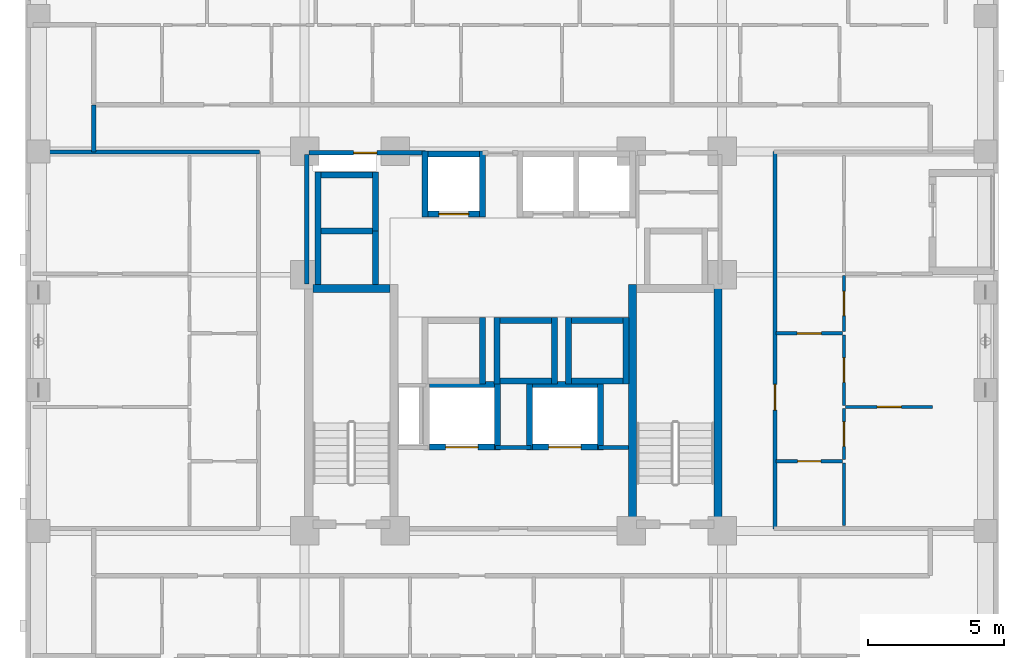
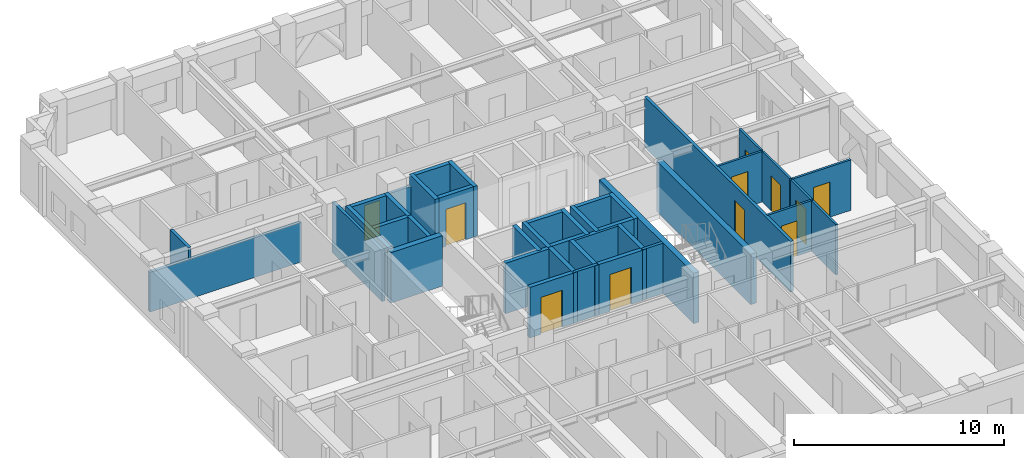
# One storey, part 5 of 12: 42 walls, 11 doors, 11 openings.
"""IFC4 building model written with IfcOpenShell, lengths in metres."""

from ifc_helpers import new_model, si_unit, derived_unit, direction, frame, frame_2d, origin, place, context, subcontext, project, spatial, rectangle, extrude, material, layer, layer_set, type_object, element, fill, save


model = new_model("IFC4")

# Units and contexts
model_context = context("Model", 3, precision=1e-05, world=origin(), true_north=direction((0.0, 1.0)))
body_context = subcontext(model_context, "Body", "Model", "MODEL_VIEW")
ifc_project = project(units=[si_unit("LENGTHUNIT", "METRE"), si_unit("AREAUNIT", "SQUARE_METRE"), si_unit("VOLUMEUNIT", "CUBIC_METRE"), si_unit("PLANEANGLEUNIT", "RADIAN"), si_unit("MASSUNIT", "GRAM", prefix="KILO"), derived_unit("THERMALTRANSMITTANCEUNIT", [(si_unit("MASSUNIT", "GRAM", prefix="KILO"), 1), (si_unit("TIMEUNIT", "SECOND"), -3), (si_unit("THERMODYNAMICTEMPERATUREUNIT", "KELVIN"), -1)])], contexts=[model_context])

# Site, building, storey
site_placement = place(None, origin())
site = spatial("IfcSite", under=ifc_project, at=site_placement, CompositionType="ELEMENT")
building_placement = place(site_placement, origin())
building = spatial("IfcBuilding", under=site, at=building_placement, Name="Korrvale Station Residences", CompositionType="ELEMENT")
storey_placement = place(building_placement, frame((0.0, 0.0, 81.5)))
storey = spatial("IfcBuildingStorey", under=building, at=storey_placement, Name="L22", CompositionType="ELEMENT", Elevation=81.5)

# Walls
ifc_material_1 = material(Name="Concrete C60/75", Category="concrete")
ifc_layer_1 = layer(ifc_material_1, 0.300048828125, Name="Concrete C60/75")
ifc_layer_set_1 = layer_set([ifc_layer_1], Name="Concrete C60/75")
wall_type_1 = type_object("IfcWallType", Name="WAL-CORE-300-C60", PredefinedType="SHEAR", material=ifc_layer_set_1)
wall_1_placement = place(storey_placement, frame((18.10009765625, 23.949951171875, 0.0), z_axis=(0.0, 0.0, 1.0), x_axis=(1.0, 0.0, 0.0)))
element("IfcWall", 1, at=wall_1_placement, inside=storey, type_object=wall_type_1, Name="L22 ST-1 Core Shear Wall North", PredefinedType="SHEAR", context=body_context, shape_type="SweptSolid", body=[
    extrude(rectangle(XDim=2.849853515625, YDim=0.300048828125, at=frame_2d((1.4248046875, 0.0))), origin(), (0.0, 0.0, 1.0), 2.93994140625),
])
for number, where, z_axis, x_axis, name in (
    (2, (29.89990234375, 15.10009765625, 0.0), (0.0, 0.0, 1.0), (0.0, 1.0, 0.0), "L22 ST-2 Core Shear Wall West"),
    (3, (33.050048828125, 15.10009765625, 0.0), (0.0, 0.0, 1.0), (0.0, 1.0, 0.0), "L22 ST-2 Core Shear Wall East"),
):
    element("IfcWall", number, at=place(storey_placement, frame(where, z_axis=z_axis, x_axis=x_axis)), inside=storey, type_object=wall_type_1, Name=name, PredefinedType="SHEAR", context=body_context, shape_type="SweptSolid", body=[
        extrude(rectangle(XDim=9.0, YDim=0.300048828125, at=frame_2d((4.5, 0.0))), origin(), (0.0, 0.0, 1.0), 2.93994140625),
    ])

# Wall, opening, door
ifc_material_2 = material(Name="Acoustic steel-stud gypsum board partition", Category="steel")
ifc_layer_2 = layer(ifc_material_2, 0.1201171875, Name="Acoustic steel-stud gypsum board partition")
ifc_layer_set_2 = layer_set([ifc_layer_2], Name="Acoustic steel-stud gypsum board partition")
wall_type_2 = type_object("IfcWallType", Name="WAL-PART-125", PredefinedType="PARTITIONING", material=ifc_layer_set_2)
wall_2_placement = place(storey_placement, frame((35.18994140625, 22.2900390625, 0.0), z_axis=(0.0, 0.0, 1.0), x_axis=(1.0, 0.0, 0.0)))
wall_2 = element("IfcWall", 4, at=wall_2_placement, inside=storey, type_object=wall_type_2, Name="L22 Suite Partition U06-H02", PredefinedType="PARTITIONING", context=body_context, shape_type="SweptSolid", body=[
    extrude(rectangle(XDim=2.449951171875, YDim=0.1201171875, at=frame_2d((1.22509765625, 0.0))), origin(), (0.0, 0.0, 1.0), 2.93994140625),
])
opening_1_placement = place(wall_2_placement, frame((0.77490234375, 0.0, 0.0)))
opening_1 = element("IfcOpeningElement", 5, at=opening_1_placement, cuts=wall_2, Name="Opening DI-900", PredefinedType="OPENING", context=body_context, shape_type="SweptSolid", body=[
    extrude(rectangle(XDim=0.89990234375, YDim=2.050048828125, at=frame_2d((0.449951171875, 1.02490234375))), frame((0.0, 0.070068359375, 0.0), z_axis=(0.0, -1.0, 0.0), x_axis=(1.0, 0.0, 0.0)), (0.0, 0.0, 1.0), 0.14013671875),
])
ifc_material_3 = material(Name="Painted solid-core timber interior room door", Category="wood")
door_type_1 = type_object("IfcDoorType", Name="DR-INT-900", OperationType="NOTDEFINED", PredefinedType="DOOR", material=ifc_material_3)
door_1_placement = place(opening_1_placement, origin())
door_1 = element("IfcDoor", 6, at=door_1_placement, inside=storey, type_object=door_type_1, Name="L22 Apartment 2BR L22-U06 Wardrobe Storage Room Door", OperationType="SINGLE_SWING_LEFT", OverallHeight=2.050048828125, OverallWidth=0.89990234375, PredefinedType="DOOR", context=body_context, shape_type="SweptSolid", body=[
    extrude(rectangle(XDim=0.89990234375, YDim=2.050048828125, at=frame_2d((0.449951171875, 1.02490234375))), frame((0.0, 0.02490234375, 0.0), z_axis=(0.0, -1.0, 0.0), x_axis=(1.0, 0.0, 0.0)), (0.0, 0.0, 1.0), 0.050048828125),
])
fill(opening_1, door_1)

wall_3_placement = place(storey_placement, frame((37.699951171875, 22.35009765625, 0.0), z_axis=(0.0, 0.0, 1.0), x_axis=(0.0, 1.0, 0.0)))
wall_3 = element("IfcWall", 7, at=wall_3_placement, inside=storey, type_object=wall_type_2, Name="L22 Suite Partition U06-V04", PredefinedType="PARTITIONING", context=body_context, shape_type="SweptSolid", body=[
    extrude(rectangle(XDim=2.081787109375, YDim=0.1201171875, at=frame_2d((1.041015625, 0.0))), origin(), (0.0, 0.0, 1.0), 2.93994140625),
])
opening_2_placement = place(wall_3_placement, frame((0.591064453125, 0.0, 0.0)))
opening_2 = element("IfcOpeningElement", 8, at=opening_2_placement, cuts=wall_3, Name="Opening DI-900", PredefinedType="OPENING", context=body_context, shape_type="SweptSolid", body=[
    extrude(rectangle(XDim=0.89990234375, YDim=2.050048828125, at=frame_2d((0.449951171875, 1.02490234375))), frame((0.0, 0.070068359375, 0.0), z_axis=(0.0, -1.0, 0.0), x_axis=(1.0, 0.0, 0.0)), (0.0, 0.0, 1.0), 0.14013671875),
])
door_2_placement = place(opening_2_placement, origin())
door_2 = element("IfcDoor", 9, at=door_2_placement, inside=storey, type_object=door_type_1, Name="L22 Apartment 2BR L22-U06 Wardrobe Storage Room Door", OperationType="SINGLE_SWING_RIGHT", OverallHeight=2.050048828125, OverallWidth=0.89990234375, PredefinedType="DOOR", context=body_context, shape_type="SweptSolid", body=[
    extrude(rectangle(XDim=0.89990234375, YDim=2.050048828125, at=frame_2d((0.449951171875, 1.02490234375))), frame((0.0, 0.02490234375, 0.0), z_axis=(0.0, -1.0, 0.0), x_axis=(1.0, 0.0, 0.0)), (0.0, 0.0, 1.0), 0.050048828125),
])
fill(opening_2, door_2)

wall_4_placement = place(storey_placement, frame((35.18994140625, 17.570068359375, 0.0), z_axis=(0.0, 0.0, 1.0), x_axis=(1.0, 0.0, 0.0)))
wall_4 = element("IfcWall", 10, at=wall_4_placement, inside=storey, type_object=wall_type_2, Name="L22 Suite Partition U06-H12", PredefinedType="PARTITIONING", context=body_context, shape_type="SweptSolid", body=[
    extrude(rectangle(XDim=2.449951171875, YDim=0.1201171875, at=frame_2d((1.22509765625, 0.0))), origin(), (0.0, 0.0, 1.0), 2.93994140625),
])
opening_3_placement = place(wall_4_placement, frame((0.794921875, 0.0, 0.0)))
opening_3 = element("IfcOpeningElement", 11, at=opening_3_placement, cuts=wall_4, Name="Opening DB-860", PredefinedType="OPENING", context=body_context, shape_type="SweptSolid", body=[
    extrude(rectangle(XDim=0.860107421875, YDim=2.050048828125, at=frame_2d((0.43017578125, 1.02490234375))), frame((0.0, 0.070068359375, 0.0), z_axis=(0.0, -1.0, 0.0), x_axis=(1.0, 0.0, 0.0)), (0.0, 0.0, 1.0), 0.14013671875),
])
ifc_material_4 = material(Name="Moisture-resistant solid-core bathroom door", Category="timber")
door_type_2 = type_object("IfcDoorType", Name="DR-BATH-860", OperationType="NOTDEFINED", PredefinedType="DOOR", material=ifc_material_4)
door_3_placement = place(opening_3_placement, origin())
door_3 = element("IfcDoor", 12, at=door_3_placement, inside=storey, type_object=door_type_2, Name="L22 Apartment 2BR L22-U06 Bathroom Door", OperationType="SINGLE_SWING_RIGHT", OverallHeight=2.050048828125, OverallWidth=0.860107421875, PredefinedType="DOOR", context=body_context, shape_type="SweptSolid", body=[
    extrude(rectangle(XDim=0.860107421875, YDim=2.050048828125, at=frame_2d((0.43017578125, 1.02490234375))), frame((0.0, 0.02490234375, 0.0), z_axis=(0.0, -1.0, 0.0), x_axis=(1.0, 0.0, 0.0)), (0.0, 0.0, 1.0), 0.050048828125),
])
fill(opening_3, door_3)

# Wall
wall_5_placement = place(storey_placement, frame((37.699951171875, 15.2099609375, 0.0), z_axis=(0.0, 0.0, 1.0), x_axis=(0.0, 1.0, 0.0)))
element("IfcWall", 13, at=wall_5_placement, inside=storey, type_object=wall_type_2, Name="L22 Suite Partition U06-V13", PredefinedType="PARTITIONING", context=body_context, shape_type="SweptSolid", body=[
    extrude(rectangle(XDim=2.300048828125, YDim=0.1201171875, at=frame_2d((1.14990234375, 0.0))), origin(), (0.0, 0.0, 1.0), 2.93994140625),
])

# Wall, opening, door
wall_6_placement = place(storey_placement, frame((37.699951171875, 17.6298828125, 0.0), z_axis=(0.0, 0.0, 1.0), x_axis=(0.0, 1.0, 0.0)))
wall_6 = element("IfcWall", 14, at=wall_6_placement, inside=storey, type_object=wall_type_2, Name="L22 Suite Partition U06-V23", PredefinedType="PARTITIONING", context=body_context, shape_type="SweptSolid", body=[
    extrude(rectangle(XDim=1.88818359375, YDim=0.1201171875, at=frame_2d((0.944091796875, 0.0))), origin(), (0.0, 0.0, 1.0), 2.93994140625),
])
opening_4_placement = place(wall_6_placement, frame((0.493896484375, 0.0, 0.0)))
opening_4 = element("IfcOpeningElement", 15, at=opening_4_placement, cuts=wall_6, Name="Opening DI-900", PredefinedType="OPENING", context=body_context, shape_type="SweptSolid", body=[
    extrude(rectangle(XDim=0.89990234375, YDim=2.050048828125, at=frame_2d((0.449951171875, 1.02490234375))), frame((0.0, 0.070068359375, 0.0), z_axis=(0.0, -1.0, 0.0), x_axis=(1.0, 0.0, 0.0)), (0.0, 0.0, 1.0), 0.14013671875),
])
door_4_placement = place(opening_4_placement, origin())
door_4 = element("IfcDoor", 16, at=door_4_placement, inside=storey, type_object=door_type_1, Name="L22 Apartment 2BR L22-U06 Kitchen Door", OperationType="SINGLE_SWING_LEFT", OverallHeight=2.050048828125, OverallWidth=0.89990234375, PredefinedType="DOOR", context=body_context, shape_type="SweptSolid", body=[
    extrude(rectangle(XDim=0.89990234375, YDim=2.050048828125, at=frame_2d((0.449951171875, 1.02490234375))), frame((0.0, 0.02490234375, 0.0), z_axis=(0.0, -1.0, 0.0), x_axis=(1.0, 0.0, 0.0)), (0.0, 0.0, 1.0), 0.050048828125),
])
fill(opening_4, door_4)

wall_7_placement = place(storey_placement, frame((37.699951171875, 19.637939453125, 0.0), z_axis=(0.0, 0.0, 1.0), x_axis=(0.0, 1.0, 0.0)))
wall_7 = element("IfcWall", 17, at=wall_7_placement, inside=storey, type_object=wall_type_2, Name="L22 Suite Partition U06-V24", PredefinedType="PARTITIONING", context=body_context, shape_type="SweptSolid", body=[
    extrude(rectangle(XDim=2.592041015625, YDim=0.1201171875, at=frame_2d((1.2958984375, 0.0))), origin(), (0.0, 0.0, 1.0), 2.93994140625),
])
opening_5_placement = place(wall_7_placement, frame((0.845947265625, 0.0, 0.0)))
opening_5 = element("IfcOpeningElement", 18, at=opening_5_placement, cuts=wall_7, Name="Opening DI-900", PredefinedType="OPENING", context=body_context, shape_type="SweptSolid", body=[
    extrude(rectangle(XDim=0.89990234375, YDim=2.050048828125, at=frame_2d((0.449951171875, 1.02490234375))), frame((0.0, 0.070068359375, 0.0), z_axis=(0.0, -1.0, 0.0), x_axis=(1.0, 0.0, 0.0)), (0.0, 0.0, 1.0), 0.14013671875),
])
door_5_placement = place(opening_5_placement, origin())
door_5 = element("IfcDoor", 19, at=door_5_placement, inside=storey, type_object=door_type_1, Name="L22 Apartment 2BR L22-U06 Kitchen Door", OperationType="SINGLE_SWING_RIGHT", OverallHeight=2.050048828125, OverallWidth=0.89990234375, PredefinedType="DOOR", context=body_context, shape_type="SweptSolid", body=[
    extrude(rectangle(XDim=0.89990234375, YDim=2.050048828125, at=frame_2d((0.449951171875, 1.02490234375))), frame((0.0, 0.02490234375, 0.0), z_axis=(0.0, -1.0, 0.0), x_axis=(1.0, 0.0, 0.0)), (0.0, 0.0, 1.0), 0.050048828125),
])
fill(opening_5, door_5)

wall_8_placement = place(storey_placement, frame((37.760009765625, 19.577880859375, 0.0), z_axis=(0.0, 0.0, 1.0), x_axis=(1.0, 0.0, 0.0)))
wall_8 = element("IfcWall", 20, at=wall_8_placement, inside=storey, type_object=wall_type_2, Name="L22 Suite Partition U06-H34", PredefinedType="PARTITIONING", context=body_context, shape_type="SweptSolid", body=[
    extrude(rectangle(XDim=3.2099609375, YDim=0.1201171875, at=frame_2d((1.60498046875, 0.0))), origin(), (0.0, 0.0, 1.0), 2.93994140625),
])
opening_6_placement = place(wall_8_placement, frame((1.155029296875, 0.0, 0.0)))
opening_6 = element("IfcOpeningElement", 21, at=opening_6_placement, cuts=wall_8, Name="Opening DI-900", PredefinedType="OPENING", context=body_context, shape_type="SweptSolid", body=[
    extrude(rectangle(XDim=0.89990234375, YDim=2.050048828125, at=frame_2d((0.449951171875, 1.02490234375))), frame((0.0, 0.070068359375, 0.0), z_axis=(0.0, -1.0, 0.0), x_axis=(1.0, 0.0, 0.0)), (0.0, 0.0, 1.0), 0.14013671875),
])
door_6_placement = place(opening_6_placement, origin())
door_6 = element("IfcDoor", 22, at=door_6_placement, inside=storey, type_object=door_type_1, Name="L22 Apartment 2BR L22-U06 Bedroom 1 Door", OperationType="SINGLE_SWING_LEFT", OverallHeight=2.050048828125, OverallWidth=0.89990234375, PredefinedType="DOOR", context=body_context, shape_type="SweptSolid", body=[
    extrude(rectangle(XDim=0.89990234375, YDim=2.050048828125, at=frame_2d((0.449951171875, 1.02490234375))), frame((0.0, 0.02490234375, 0.0), z_axis=(0.0, -1.0, 0.0), x_axis=(1.0, 0.0, 0.0)), (0.0, 0.0, 1.0), 0.050048828125),
])
fill(opening_6, door_6)

# Walls
ifc_material_5 = material(Name="Fire-rated twin-stud gypsum and mineral wool shaftwall assembly", Category="gypsum")
ifc_layer_3 = layer(ifc_material_5, 0.159912109375, Name="Fire-rated twin-stud gypsum and mineral wool shaftwall assembly")
ifc_layer_set_3 = layer_set([ifc_layer_3], Name="Fire-rated twin-stud gypsum and mineral wool shaftwall assembly")
wall_type_3 = type_object("IfcWallType", Name="WAL-PART-200", PredefinedType="PARTITIONING", material=ifc_layer_set_3)
wall_9_placement = place(storey_placement, frame((24.85009765625, 18.080078125, 0.0), z_axis=(0.0, 0.0, 1.0), x_axis=(1.0, 0.0, 0.0)))
element("IfcWall", 23, at=wall_9_placement, inside=storey, type_object=wall_type_3, Name="L22 Core Partition CW-FFL-N2", PredefinedType="PARTITIONING", context=body_context, shape_type="SweptSolid", body=[
    extrude(rectangle(XDim=1.2998046875, YDim=0.159912109375, at=frame_2d((0.64990234375, 0.0))), origin(), (0.0, 0.0, 1.0), 2.93994140625),
])
wall_10_placement = place(storey_placement, frame((28.64990234375, 18.080078125, 0.0), z_axis=(0.0, 0.0, 1.0), x_axis=(1.0, 0.0, 0.0)))
element("IfcWall", 24, at=wall_10_placement, inside=storey, type_object=wall_type_3, Name="L22 Core Partition CW-FFL-N3", PredefinedType="PARTITIONING", context=body_context, shape_type="SweptSolid", body=[
    extrude(rectangle(XDim=1.10009765625, YDim=0.159912109375, at=frame_2d((0.550048828125, 0.0))), origin(), (0.0, 0.0, 1.0), 2.93994140625),
])
wall_11_placement = place(storey_placement, frame((17.8798828125, 24.1201171875, 0.0), z_axis=(0.0, 0.0, 1.0), x_axis=(0.0, 1.0, 0.0)))
element("IfcWall", 25, at=wall_11_placement, inside=storey, type_object=wall_type_3, Name="L22 Core Partition CW-W-N", PredefinedType="PARTITIONING", context=body_context, shape_type="SweptSolid", body=[
    extrude(rectangle(XDim=4.759765625, YDim=0.159912109375, at=frame_2d((2.3798828125, 0.0))), origin(), (0.0, 0.0, 1.0), 2.93994140625),
])

# Wall, opening, door
wall_12_placement = place(storey_placement, frame((17.9599609375, 28.949951171875, 0.0), z_axis=(0.0, 0.0, 1.0), x_axis=(1.0, 0.0, 0.0)))
wall_12 = element("IfcWall", 26, at=wall_12_placement, inside=storey, type_object=wall_type_3, Name="L22 Core Partition CW-NW", PredefinedType="PARTITIONING", context=body_context, shape_type="SweptSolid", body=[
    extrude(rectangle(XDim=4.2900390625, YDim=0.159912109375, at=frame_2d((2.14501953125, 0.0))), origin(), (0.0, 0.0, 1.0), 2.30908203125),
])
opening_7_placement = place(wall_12_placement, frame((1.64501953125, 0.0, 0.0)))
opening_7 = element("IfcOpeningElement", 27, at=opening_7_placement, cuts=wall_12, Name="Opening DB-860", PredefinedType="OPENING", context=body_context, shape_type="SweptSolid", body=[
    extrude(rectangle(XDim=0.860107421875, YDim=2.050048828125, at=frame_2d((0.43017578125, 1.02490234375))), frame((0.0, 0.08984375, 0.0), z_axis=(0.0, -1.0, 0.0), x_axis=(1.0, 0.0, 0.0)), (0.0, 0.0, 1.0), 0.179931640625),
])
door_7_placement = place(opening_7_placement, origin())
door_7 = element("IfcDoor", 28, at=door_7_placement, inside=storey, type_object=door_type_2, Name="L22 Electrical Riser Access Door", OperationType="SINGLE_SWING_LEFT", OverallHeight=2.050048828125, OverallWidth=0.860107421875, PredefinedType="DOOR", context=body_context, shape_type="SweptSolid", body=[
    extrude(rectangle(XDim=0.860107421875, YDim=2.050048828125, at=frame_2d((0.43017578125, 1.02490234375))), frame((0.0, 0.02490234375, 0.0), z_axis=(0.0, -1.0, 0.0), x_axis=(1.0, 0.0, 0.0)), (0.0, 0.0, 1.0), 0.050048828125),
])
fill(opening_7, door_7)

# Walls
wall_13_placement = place(storey_placement, frame((10.02001953125, 28.97998046875, 0.0), z_axis=(0.0, 0.0, 1.0), x_axis=(0.0, 1.0, 0.0)))
element("IfcWall", 29, at=wall_13_placement, inside=storey, type_object=wall_type_3, Name="L22 Corridor North West Cap", PredefinedType="PARTITIONING", context=body_context, shape_type="SweptSolid", body=[
    extrude(rectangle(XDim=1.739990234375, YDim=0.159912109375, at=frame_2d((0.8701171875, 0.0))), origin(), (0.0, 0.0, 1.0), 2.93994140625),
])
wall_14_placement = place(storey_placement, frame((7.780029296875, 28.97998046875, 0.0), z_axis=(0.0, 0.0, 1.0), x_axis=(1.0, 0.0, 0.0)))
element("IfcWall", 30, at=wall_14_placement, inside=storey, type_object=wall_type_3, Name="L22 West Wing North Corridor Wall", PredefinedType="PARTITIONING", context=body_context, shape_type="SweptSolid", body=[
    extrude(rectangle(XDim=8.35986328125, YDim=0.159912109375, at=frame_2d((4.179931640625, 0.0))), origin(), (0.0, 0.0, 1.0), 2.30908203125),
])

# Wall, opening, door
wall_15_placement = place(storey_placement, frame((35.14990234375, 15.070068359375, 0.0), z_axis=(0.0, 0.0, 1.0), x_axis=(0.0, 1.0, 0.0)))
wall_15 = element("IfcWall", 31, at=wall_15_placement, inside=storey, type_object=wall_type_3, Name="L22 Rated Corridor Wall E", PredefinedType="PARTITIONING", context=body_context, shape_type="SweptSolid", body=[
    extrude(rectangle(XDim=13.929931640625, YDim=0.159912109375, at=frame_2d((6.96484375, 0.0))), origin(), (0.0, 0.0, 1.0), 2.93994140625),
])
opening_8_placement = place(wall_15_placement, frame((4.385009765625, 0.0, 0.0)))
opening_8 = element("IfcOpeningElement", 32, at=opening_8_placement, cuts=wall_15, Name="Opening UD-950", PredefinedType="OPENING", context=body_context, shape_type="SweptSolid", body=[
    extrude(rectangle(XDim=0.949951171875, YDim=2.10009765625, at=frame_2d((0.47509765625, 1.050048828125))), frame((0.0, 0.08984375, 0.0), z_axis=(0.0, -1.0, 0.0), x_axis=(1.0, 0.0, 0.0)), (0.0, 0.0, 1.0), 0.179931640625),
])
ifc_material_6 = material(Name="Solid-core acoustic oak apartment entrance door", Category="timber")
door_type_3 = type_object("IfcDoorType", Name="DR-UNIT-950", OperationType="NOTDEFINED", PredefinedType="DOOR", material=ifc_material_6)
door_8_placement = place(opening_8_placement, origin())
door_8 = element("IfcDoor", 33, at=door_8_placement, inside=storey, type_object=door_type_3, Name="L22 Apartment L22-U06 Entrance Door", OperationType="SINGLE_SWING_RIGHT", OverallHeight=2.10009765625, OverallWidth=0.949951171875, PredefinedType="DOOR", context=body_context, shape_type="SweptSolid", body=[
    extrude(rectangle(XDim=0.949951171875, YDim=2.10009765625, at=frame_2d((0.47509765625, 1.050048828125))), frame((0.0, 0.02490234375, 0.0), z_axis=(0.0, -1.0, 0.0), x_axis=(1.0, 0.0, 0.0)), (0.0, 0.0, 1.0), 0.050048828125),
])
fill(opening_8, door_8)

ifc_layer_4 = layer(ifc_material_1, 0.219970703125, Name="Concrete C60/75")
ifc_layer_set_4 = layer_set([ifc_layer_4], Name="Concrete C60/75")
wall_type_4 = type_object("IfcWallType", Name="WAL-SHAFT-220-C60", PredefinedType="SHEAR", material=ifc_layer_set_4)
wall_16_placement = place(storey_placement, frame((22.35009765625, 26.68994140625, 0.0), z_axis=(0.0, 0.0, 1.0), x_axis=(1.0, 0.0, 0.0)))
wall_16 = element("IfcWall", 34, at=wall_16_placement, inside=storey, type_object=wall_type_4, Name="L22 Elevator PL-1 Hoistway Wall South", PredefinedType="SHEAR", context=body_context, shape_type="SweptSolid", body=[
    extrude(rectangle(XDim=1.89990234375, YDim=0.219970703125, at=frame_2d((0.949951171875, 0.0))), origin(), (0.0, 0.0, 1.0), 2.93994140625),
])
opening_9_placement = place(wall_16_placement, frame((0.39990234375, 0.0, 0.0)))
opening_9 = element("IfcOpeningElement", 35, at=opening_9_placement, cuts=wall_16, Name="Opening LD-1100", PredefinedType="OPENING", context=body_context, shape_type="SweptSolid", body=[
    extrude(rectangle(XDim=1.10009765625, YDim=2.14990234375, at=frame_2d((0.550048828125, 1.074951171875))), frame((0.0, 0.1201171875, 0.0), z_axis=(0.0, -1.0, 0.0), x_axis=(1.0, 0.0, 0.0)), (0.0, 0.0, 1.0), 0.239990234375),
])
ifc_material_7 = material(Name="Brushed stainless-steel elevator landing sliding door", Category="steel")
door_type_4 = type_object("IfcDoorType", Name="DR-LIFT-1100", OperationType="SLIDING_TO_LEFT", PredefinedType="DOOR", material=ifc_material_7)
door_9_placement = place(opening_9_placement, origin())
door_9 = element("IfcDoor", 36, at=door_9_placement, inside=storey, type_object=door_type_4, Name="L22 Elevator PL-1 Sliding Landing Door", OperationType="SLIDING_TO_LEFT", OverallHeight=2.14990234375, OverallWidth=1.10009765625, PredefinedType="DOOR", context=body_context, shape_type="SweptSolid", body=[
    extrude(rectangle(XDim=1.10009765625, YDim=2.14990234375, at=frame_2d((0.550048828125, 1.074951171875))), frame((0.0, 0.02490234375, 0.0), z_axis=(0.0, -1.0, 0.0), x_axis=(1.0, 0.0, 0.0)), (0.0, 0.0, 1.0), 0.050048828125),
])
fill(opening_9, door_9)

# Walls
wall_17_placement = place(storey_placement, frame((22.35009765625, 28.909912109375, 0.0), z_axis=(0.0, 0.0, 1.0), x_axis=(1.0, 0.0, 0.0)))
element("IfcWall", 37, at=wall_17_placement, inside=storey, type_object=wall_type_4, Name="L22 Elevator PL-1 Hoistway Wall North", PredefinedType="SHEAR", context=body_context, shape_type="SweptSolid", body=[
    extrude(rectangle(XDim=1.89990234375, YDim=0.219970703125, at=frame_2d((0.949951171875, 0.0))), origin(), (0.0, 0.0, 1.0), 2.93994140625),
])
for number, where, z_axis, x_axis, name in (
    (38, (22.239990234375, 26.580078125, 0.0), (0.0, 0.0, 1.0), (0.0, 1.0, 0.0), "L22 Elevator PL-1 Hoistway Wall West"),
    (39, (24.360107421875, 26.580078125, 0.0), (0.0, 0.0, 1.0), (0.0, 1.0, 0.0), "L22 Elevator PL-1 Hoistway Wall East"),
):
    element("IfcWall", number, at=place(storey_placement, frame(where, z_axis=z_axis, x_axis=x_axis)), inside=storey, type_object=wall_type_4, Name=name, PredefinedType="SHEAR", context=body_context, shape_type="SweptSolid", body=[
        extrude(rectangle(XDim=2.43994140625, YDim=0.219970703125, at=frame_2d((1.219970703125, 0.0))), origin(), (0.0, 0.0, 1.0), 2.93994140625),
    ])
wall_18_placement = place(storey_placement, frame((24.360107421875, 20.429931640625, 0.0), z_axis=(0.0, 0.0, 1.0), x_axis=(0.0, 1.0, 0.0)))
element("IfcWall", 40, at=wall_18_placement, inside=storey, type_object=wall_type_4, Name="L22 Elevator PM-1 Hoistway Wall East", PredefinedType="SHEAR", context=body_context, shape_type="SweptSolid", body=[
    extrude(rectangle(XDim=2.440185546875, YDim=0.219970703125, at=frame_2d((1.22021484375, 0.0))), origin(), (0.0, 0.0, 1.0), 2.93994140625),
])
for number, where, z_axis, x_axis, name in (
    (41, (25.0, 20.5400390625, 0.0), (0.0, 0.0, 1.0), (1.0, 0.0, 0.0), "L22 Elevator PM-2 Hoistway Wall South"),
    (42, (25.0, 22.760009765625, 0.0), (0.0, 0.0, 1.0), (1.0, 0.0, 0.0), "L22 Elevator PM-2 Hoistway Wall North"),
):
    element("IfcWall", number, at=place(storey_placement, frame(where, z_axis=z_axis, x_axis=x_axis)), inside=storey, type_object=wall_type_4, Name=name, PredefinedType="SHEAR", context=body_context, shape_type="SweptSolid", body=[
        extrude(rectangle(XDim=1.89990234375, YDim=0.219970703125, at=frame_2d((0.949951171875, 0.0))), origin(), (0.0, 0.0, 1.0), 2.93994140625),
    ])
for number, where, z_axis, x_axis, name in (
    (43, (24.889892578125, 20.429931640625, 0.0), (0.0, 0.0, 1.0), (0.0, 1.0, 0.0), "L22 Elevator PM-2 Hoistway Wall West"),
    (44, (27.010009765625, 20.429931640625, 0.0), (0.0, 0.0, 1.0), (0.0, 1.0, 0.0), "L22 Elevator PM-2 Hoistway Wall East"),
):
    element("IfcWall", number, at=place(storey_placement, frame(where, z_axis=z_axis, x_axis=x_axis)), inside=storey, type_object=wall_type_4, Name=name, PredefinedType="SHEAR", context=body_context, shape_type="SweptSolid", body=[
        extrude(rectangle(XDim=2.440185546875, YDim=0.219970703125, at=frame_2d((1.22021484375, 0.0))), origin(), (0.0, 0.0, 1.0), 2.93994140625),
    ])
for number, where, z_axis, x_axis, name in (
    (45, (27.64990234375, 20.5400390625, 0.0), (0.0, 0.0, 1.0), (1.0, 0.0, 0.0), "L22 Elevator PM-3 Hoistway Wall South"),
    (46, (27.64990234375, 22.760009765625, 0.0), (0.0, 0.0, 1.0), (1.0, 0.0, 0.0), "L22 Elevator PM-3 Hoistway Wall North"),
):
    element("IfcWall", number, at=place(storey_placement, frame(where, z_axis=z_axis, x_axis=x_axis)), inside=storey, type_object=wall_type_4, Name=name, PredefinedType="SHEAR", context=body_context, shape_type="SweptSolid", body=[
        extrude(rectangle(XDim=1.900146484375, YDim=0.219970703125, at=frame_2d((0.9501953125, 0.0))), origin(), (0.0, 0.0, 1.0), 2.93994140625),
    ])
for number, where, z_axis, x_axis, name in (
    (47, (27.5400390625, 20.429931640625, 0.0), (0.0, 0.0, 1.0), (0.0, 1.0, 0.0), "L22 Elevator PM-3 Hoistway Wall West"),
    (48, (29.659912109375, 20.429931640625, 0.0), (0.0, 0.0, 1.0), (0.0, 1.0, 0.0), "L22 Elevator PM-3 Hoistway Wall East"),
):
    element("IfcWall", number, at=place(storey_placement, frame(where, z_axis=z_axis, x_axis=x_axis)), inside=storey, type_object=wall_type_4, Name=name, PredefinedType="SHEAR", context=body_context, shape_type="SweptSolid", body=[
        extrude(rectangle(XDim=2.440185546875, YDim=0.219970703125, at=frame_2d((1.22021484375, 0.0))), origin(), (0.0, 0.0, 1.0), 2.93994140625),
    ])
wall_19_placement = place(storey_placement, frame((18.2900390625, 24.10009765625, 0.0), z_axis=(0.0, 0.0, 1.0), x_axis=(0.0, 1.0, 0.0)))
element("IfcWall", 49, at=wall_19_placement, inside=storey, type_object=wall_type_4, Name="L22 Elevator PH-1 Hoistway Wall West", PredefinedType="SHEAR", context=body_context, shape_type="SweptSolid", body=[
    extrude(rectangle(XDim=4.139892578125, YDim=0.219970703125, at=frame_2d((2.06982421875, 0.0))), origin(), (0.0, 0.0, 1.0), 2.93994140625),
])
wall_20_placement = place(storey_placement, frame((20.409912109375, 24.10009765625, 0.0), z_axis=(0.0, 0.0, 1.0), x_axis=(0.0, 1.0, 0.0)))
element("IfcWall", 50, at=wall_20_placement, inside=storey, type_object=wall_type_4, Name="L22 Elevator PH-1 Hoistway Wall East", PredefinedType="SHEAR", context=body_context, shape_type="SweptSolid", body=[
    extrude(rectangle(XDim=1.9599609375, YDim=0.219970703125, at=frame_2d((0.97998046875, 0.0))), origin(), (0.0, 0.0, 1.0), 2.93994140625),
])
for number, where, z_axis, x_axis, name in (
    (51, (18.39990234375, 26.06005859375, 0.0), (0.0, 0.0, 1.0), (1.0, 0.0, 0.0), "L22 Elevator PH-2 Hoistway Wall South"),
    (52, (18.39990234375, 28.1298828125, 0.0), (0.0, 0.0, 1.0), (1.0, 0.0, 0.0), "L22 Elevator PH-2 Hoistway Wall North"),
):
    element("IfcWall", number, at=place(storey_placement, frame(where, z_axis=z_axis, x_axis=x_axis)), inside=storey, type_object=wall_type_4, Name=name, PredefinedType="SHEAR", context=body_context, shape_type="SweptSolid", body=[
        extrude(rectangle(XDim=1.900146484375, YDim=0.219970703125, at=frame_2d((0.9501953125, 0.0))), origin(), (0.0, 0.0, 1.0), 2.93994140625),
    ])
wall_21_placement = place(storey_placement, frame((20.409912109375, 26.06005859375, 0.0), z_axis=(0.0, 0.0, 1.0), x_axis=(0.0, 1.0, 0.0)))
element("IfcWall", 53, at=wall_21_placement, inside=storey, type_object=wall_type_4, Name="L22 Elevator PH-2 Hoistway Wall East", PredefinedType="SHEAR", context=body_context, shape_type="SweptSolid", body=[
    extrude(rectangle(XDim=2.179931640625, YDim=0.219970703125, at=frame_2d((1.08984375, 0.0))), origin(), (0.0, 0.0, 1.0), 2.93994140625),
])

# Wall, opening, door
wall_22_placement = place(storey_placement, frame((22.39990234375, 18.090087890625, 0.0), z_axis=(0.0, 0.0, 1.0), x_axis=(1.0, 0.0, 0.0)))
wall_22 = element("IfcWall", 54, at=wall_22_placement, inside=storey, type_object=wall_type_4, Name="L22 Elevator FFL-1 Hoistway Wall South", PredefinedType="SHEAR", context=body_context, shape_type="SweptSolid", body=[
    extrude(rectangle(XDim=2.400146484375, YDim=0.219970703125, at=frame_2d((1.2001953125, 0.0))), origin(), (0.0, 0.0, 1.0), 2.93994140625),
])
opening_10_placement = place(wall_22_placement, frame((0.60009765625, 0.0, 0.0)))
opening_10 = element("IfcOpeningElement", 55, at=opening_10_placement, cuts=wall_22, Name="Opening LD-FF1200", PredefinedType="OPENING", context=body_context, shape_type="SweptSolid", body=[
    extrude(rectangle(XDim=1.199951171875, YDim=2.14990234375, at=frame_2d((0.60009765625, 1.074951171875))), frame((0.0, 0.1201171875, 0.0), z_axis=(0.0, -1.0, 0.0), x_axis=(1.0, 0.0, 0.0)), (0.0, 0.0, 1.0), 0.239990234375),
])
ifc_material_8 = material(Name="Stainless-steel firefighter elevator landing sliding door", Category="steel")
door_type_5 = type_object("IfcDoorType", Name="DR-LIFT-FF1200", OperationType="SLIDING_TO_LEFT", PredefinedType="DOOR", material=ifc_material_8)
door_10_placement = place(opening_10_placement, origin())
door_10 = element("IfcDoor", 56, at=door_10_placement, inside=storey, type_object=door_type_5, Name="L22 Elevator FFL-1 Sliding Landing Door", OperationType="SLIDING_TO_LEFT", OverallHeight=2.14990234375, OverallWidth=1.199951171875, PredefinedType="DOOR", context=body_context, shape_type="SweptSolid", body=[
    extrude(rectangle(XDim=1.199951171875, YDim=2.14990234375, at=frame_2d((0.60009765625, 1.074951171875))), frame((0.0, 0.02490234375, 0.0), z_axis=(0.0, -1.0, 0.0), x_axis=(1.0, 0.0, 0.0)), (0.0, 0.0, 1.0), 0.050048828125),
])
fill(opening_10, door_10)

# Walls
wall_23_placement = place(storey_placement, frame((22.39990234375, 20.409912109375, 0.0), z_axis=(0.0, 0.0, 1.0), x_axis=(1.0, 0.0, 0.0)))
element("IfcWall", 57, at=wall_23_placement, inside=storey, type_object=wall_type_4, Name="L22 Elevator FFL-1 Hoistway Wall North", PredefinedType="SHEAR", context=body_context, shape_type="SweptSolid", body=[
    extrude(rectangle(XDim=2.400146484375, YDim=0.219970703125, at=frame_2d((1.2001953125, 0.0))), origin(), (0.0, 0.0, 1.0), 2.93994140625),
])
wall_24_placement = place(storey_placement, frame((24.909912109375, 17.97998046875, 0.0), z_axis=(0.0, 0.0, 1.0), x_axis=(0.0, 1.0, 0.0)))
element("IfcWall", 58, at=wall_24_placement, inside=storey, type_object=wall_type_4, Name="L22 Elevator FFL-1 Hoistway Wall East", PredefinedType="SHEAR", context=body_context, shape_type="SweptSolid", body=[
    extrude(rectangle(XDim=2.5400390625, YDim=0.219970703125, at=frame_2d((1.27001953125, 0.0))), origin(), (0.0, 0.0, 1.0), 2.93994140625),
])

# Wall, opening, door
wall_25_placement = place(storey_placement, frame((26.199951171875, 18.090087890625, 0.0), z_axis=(0.0, 0.0, 1.0), x_axis=(1.0, 0.0, 0.0)))
wall_25 = element("IfcWall", 59, at=wall_25_placement, inside=storey, type_object=wall_type_4, Name="L22 Elevator FFL-2 Hoistway Wall South", PredefinedType="SHEAR", context=body_context, shape_type="SweptSolid", body=[
    extrude(rectangle(XDim=2.400146484375, YDim=0.219970703125, at=frame_2d((1.2001953125, 0.0))), origin(), (0.0, 0.0, 1.0), 2.93994140625),
])
opening_11_placement = place(wall_25_placement, frame((0.60009765625, 0.0, 0.0)))
opening_11 = element("IfcOpeningElement", 60, at=opening_11_placement, cuts=wall_25, Name="Opening LD-FF1200", PredefinedType="OPENING", context=body_context, shape_type="SweptSolid", body=[
    extrude(rectangle(XDim=1.199951171875, YDim=2.14990234375, at=frame_2d((0.60009765625, 1.074951171875))), frame((0.0, 0.1201171875, 0.0), z_axis=(0.0, -1.0, 0.0), x_axis=(1.0, 0.0, 0.0)), (0.0, 0.0, 1.0), 0.239990234375),
])
door_11_placement = place(opening_11_placement, origin())
door_11 = element("IfcDoor", 61, at=door_11_placement, inside=storey, type_object=door_type_5, Name="L22 Elevator FFL-2 Sliding Landing Door", OperationType="SLIDING_TO_LEFT", OverallHeight=2.14990234375, OverallWidth=1.199951171875, PredefinedType="DOOR", context=body_context, shape_type="SweptSolid", body=[
    extrude(rectangle(XDim=1.199951171875, YDim=2.14990234375, at=frame_2d((0.60009765625, 1.074951171875))), frame((0.0, 0.02490234375, 0.0), z_axis=(0.0, -1.0, 0.0), x_axis=(1.0, 0.0, 0.0)), (0.0, 0.0, 1.0), 0.050048828125),
])
fill(opening_11, door_11)

# Walls
wall_26_placement = place(storey_placement, frame((26.199951171875, 20.409912109375, 0.0), z_axis=(0.0, 0.0, 1.0), x_axis=(1.0, 0.0, 0.0)))
element("IfcWall", 62, at=wall_26_placement, inside=storey, type_object=wall_type_4, Name="L22 Elevator FFL-2 Hoistway Wall North", PredefinedType="SHEAR", context=body_context, shape_type="SweptSolid", body=[
    extrude(rectangle(XDim=2.400146484375, YDim=0.219970703125, at=frame_2d((1.2001953125, 0.0))), origin(), (0.0, 0.0, 1.0), 2.93994140625),
])
for number, where, z_axis, x_axis, name in (
    (63, (26.090087890625, 17.97998046875, 0.0), (0.0, 0.0, 1.0), (0.0, 1.0, 0.0), "L22 Elevator FFL-2 Hoistway Wall West"),
    (64, (28.7099609375, 17.97998046875, 0.0), (0.0, 0.0, 1.0), (0.0, 1.0, 0.0), "L22 Elevator FFL-2 Hoistway Wall East"),
):
    element("IfcWall", number, at=place(storey_placement, frame(where, z_axis=z_axis, x_axis=x_axis)), inside=storey, type_object=wall_type_4, Name=name, PredefinedType="SHEAR", context=body_context, shape_type="SweptSolid", body=[
        extrude(rectangle(XDim=2.5400390625, YDim=0.219970703125, at=frame_2d((1.27001953125, 0.0))), origin(), (0.0, 0.0, 1.0), 2.93994140625),
    ])

save(model, "model.ifc")
